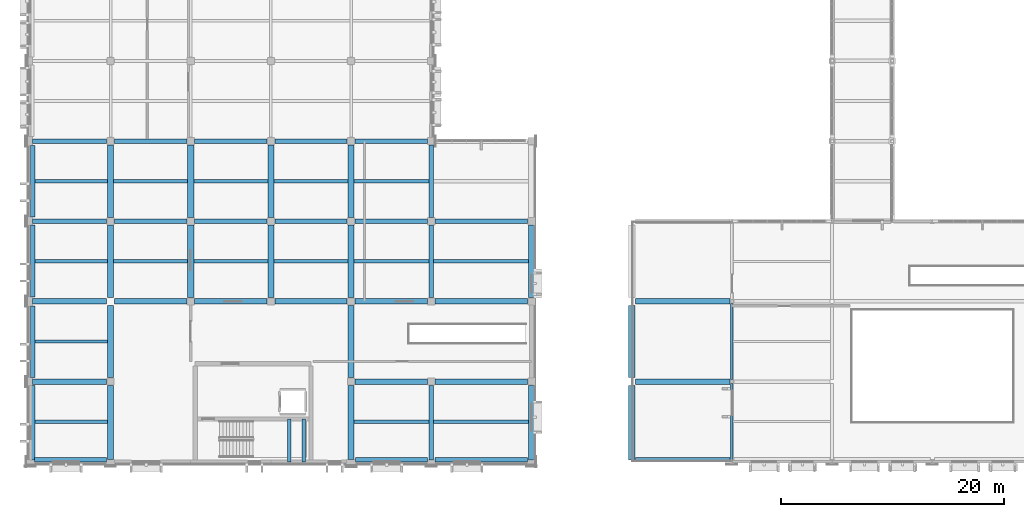
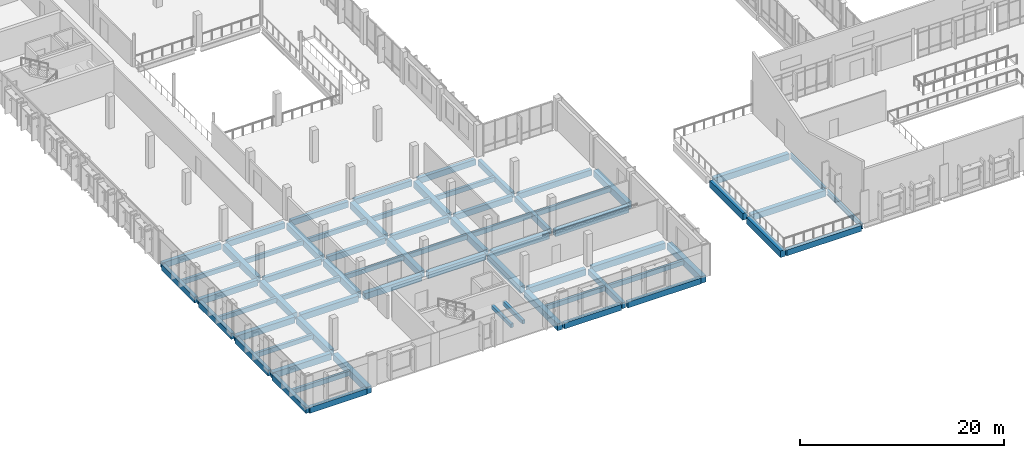
# One storey, part 14 of 85: 68 beams.
"""IFC4 building model written with IfcOpenShell, lengths in metres."""

from ifc_helpers import new_model, si_unit, direction, frame, origin, origin_2d, place, context, subcontext, project, spatial, rectangle, i_section, extrude, material, material_profile, profile_set, type_object, element, save


model = new_model("IFC4")

# Units and contexts
model_context = context("Model", 3, precision=1e-05, world=origin(), true_north=direction((0.0, 1.0)))
body_context = subcontext(model_context, "Body", "Model", "MODEL_VIEW")
ifc_project = project(units=[si_unit("LENGTHUNIT", "METRE"), si_unit("AREAUNIT", "SQUARE_METRE"), si_unit("VOLUMEUNIT", "CUBIC_METRE"), si_unit("PLANEANGLEUNIT", "RADIAN"), si_unit("MASSUNIT", "GRAM", prefix="KILO")], contexts=[model_context])

# Site, building, storey
site_placement = place(None, origin())
site = spatial("IfcSite", under=ifc_project, at=site_placement, CompositionType="ELEMENT")
building_placement = place(site_placement, origin())
building = spatial("IfcBuilding", under=site, at=building_placement, Name="Vervanel Yard Central Library", CompositionType="ELEMENT")
storey_placement = place(building_placement, frame((0.0, 0.0, 5.10009765625)))
storey = spatial("IfcBuildingStorey", under=building, at=storey_placement, Name="L01", CompositionType="ELEMENT", Elevation=5.10009765625)

# Beams
ifc_material_1 = material(Name="Concrete C40/50", Category="concrete")
ifc_material_profile_1 = material_profile(ifc_material_1, rectangle(XDim=0.300048828125, YDim=0.449951171875, at=origin_2d()), Name="RC 300x450", Category="concrete")
ifc_profile_set_1 = profile_set([ifc_material_profile_1], Name="Concrete C40/50")
beam_type_1 = type_object("IfcBeamType", Name="Concrete Opening Lintel 300x450", PredefinedType="LINTEL", material=ifc_profile_set_1)
for number, where, z_axis, x_axis, name in (
    (1, (23.25, 0.0, 1.494873046875), (0.0, 1.0, 0.0), (-1.0, 0.0, 0.0), "L01 CORE-D Stair Landing Beam 31"),
    (2, (24.550048828125, 0.0, 1.494873046875), (0.0, 1.0, 0.0), (-1.0, 0.0, 0.0), "L01 CORE-D Stair Landing Beam 32"),
):
    element("IfcBeam", number, at=place(storey_placement, frame(where, z_axis=z_axis, x_axis=x_axis)), inside=storey, type_object=beam_type_1, Name=name, PredefinedType="LINTEL", context=body_context, shape_type="SweptSolid", body=[
        extrude(rectangle(XDim=0.300048828125, YDim=0.449951171875, at=origin_2d()), origin(), (0.0, 0.0, 1.0), 3.8349609375),
    ])
ifc_material_profile_2 = material_profile(ifc_material_1, rectangle(XDim=0.39990234375, YDim=0.699951171875, at=origin_2d()), Name="RC 400x700", Category="concrete")
ifc_profile_set_2 = profile_set([ifc_material_profile_2], Name="Concrete C40/50")
beam_type_2 = type_object("IfcBeamType", Name="Concrete Perimeter Spandrel 400x700", PredefinedType="SPANDREL", material=ifc_profile_set_2)
beam_1_placement = place(storey_placement, frame((0.35009765625, 0.199951171875, -0.635009765625), z_axis=(1.0, 0.0, 0.0), x_axis=(0.0, 1.0, 0.0)))
element("IfcBeam", 3, at=beam_1_placement, inside=storey, type_object=beam_type_2, Name="L01 Girder SP-01 Y=0.0 X=0.0-7.2", PredefinedType="SPANDREL", context=body_context, shape_type="SweptSolid", body=[
    extrude(rectangle(XDim=0.39990234375, YDim=0.699951171875, at=origin_2d()), origin(), (0.0, 0.0, 1.0), 6.489990234375),
])
beam_2_placement = place(storey_placement, frame((29.18994140625, 0.199951171875, -0.635009765625), z_axis=(1.0, 0.0, 0.0), x_axis=(0.0, 1.0, 0.0)))
element("IfcBeam", 4, at=beam_2_placement, inside=storey, type_object=beam_type_2, Name="L01 Girder SP-01 Y=0.0 X=28.8-36.0", PredefinedType="SPANDREL", context=body_context, shape_type="SweptSolid", body=[
    extrude(rectangle(XDim=0.39990234375, YDim=0.699951171875, at=origin_2d()), origin(), (0.0, 0.0, 1.0), 6.4599609375),
])
beam_3_placement = place(storey_placement, frame((36.35009765625, 0.199951171875, -0.635009765625), z_axis=(1.0, 0.0, 0.0), x_axis=(0.0, 1.0, 0.0)))
element("IfcBeam", 5, at=beam_3_placement, inside=storey, type_object=beam_type_2, Name="L01 Girder SP-01 Y=0.0 X=36.0-45.0", PredefinedType="SPANDREL", context=body_context, shape_type="SweptSolid", body=[
    extrude(rectangle(XDim=0.39990234375, YDim=0.699951171875, at=origin_2d()), origin(), (0.0, 0.0, 1.0), 8.2998046875),
])
beam_4_placement = place(storey_placement, frame((54.35009765625, 0.199951171875, -0.695068359375), z_axis=(1.0, 0.0, 0.0), x_axis=(0.0, 1.0, 0.0)))
element("IfcBeam", 6, at=beam_4_placement, inside=storey, type_object=beam_type_2, Name="L01 Girder SP-01 Y=0.0 X=54.0-63.0", PredefinedType="SPANDREL", context=body_context, shape_type="SweptSolid", body=[
    extrude(rectangle(XDim=0.39990234375, YDim=0.699951171875, at=origin_2d()), origin(), (0.0, 0.0, 1.0), 8.4658203125),
])
beam_5_placement = place(storey_placement, frame((0.18994140625, 21.60009765625, -0.635009765625), z_axis=(1.0, 0.0, 0.0), x_axis=(0.0, 1.0, 0.0)))
element("IfcBeam", 7, at=beam_5_placement, inside=storey, type_object=beam_type_2, Name="L01 Girder SP-01 Y=21.6 X=0.0-7.2", PredefinedType="SPANDREL", context=body_context, shape_type="SweptSolid", body=[
    extrude(rectangle(XDim=0.39990234375, YDim=0.699951171875, at=origin_2d()), origin(), (0.0, 0.0, 1.0), 6.66015625),
])
for number, where, z_axis, x_axis, name in (
    (8, (7.550048828125, 21.60009765625, -0.635009765625), (1.0, 0.0, 0.0), (0.0, 1.0, 0.0), "L01 Girder SP-01 Y=21.6 X=7.2-14.4"),
    (9, (14.75, 21.60009765625, -0.635009765625), (1.0, 0.0, 0.0), (0.0, 1.0, 0.0), "L01 Girder SP-01 Y=21.6 X=14.4-21.6"),
    (10, (21.949951171875, 21.60009765625, -0.635009765625), (1.0, 0.0, 0.0), (0.0, 1.0, 0.0), "L01 Girder SP-01 Y=21.6 X=21.6-28.8"),
    (11, (29.14990234375, 21.60009765625, -0.635009765625), (1.0, 0.0, 0.0), (0.0, 1.0, 0.0), "L01 Girder SP-01 Y=21.6 X=28.8-36.0"),
):
    element("IfcBeam", number, at=place(storey_placement, frame(where, z_axis=z_axis, x_axis=x_axis)), inside=storey, type_object=beam_type_2, Name=name, PredefinedType="SPANDREL", context=body_context, shape_type="SweptSolid", body=[
        extrude(rectangle(XDim=0.39990234375, YDim=0.699951171875, at=origin_2d()), origin(), (0.0, 0.0, 1.0), 6.5),
    ])
beam_6_placement = place(storey_placement, frame((36.35009765625, 21.60009765625, -0.635009765625), z_axis=(1.0, 0.0, 0.0), x_axis=(0.0, 1.0, 0.0)))
element("IfcBeam", 12, at=beam_6_placement, inside=storey, type_object=beam_type_2, Name="L01 Girder SP-01 Y=21.6 X=36.0-45.0", PredefinedType="SPANDREL", context=body_context, shape_type="SweptSolid", body=[
    extrude(rectangle(XDim=0.39990234375, YDim=0.699951171875, at=origin_2d()), origin(), (0.0, 0.0, 1.0), 8.2998046875),
])
beam_7_placement = place(storey_placement, frame((0.2099609375, 28.800048828125, -0.635009765625), z_axis=(1.0, 0.0, 0.0), x_axis=(0.0, 1.0, 0.0)))
element("IfcBeam", 13, at=beam_7_placement, inside=storey, type_object=beam_type_2, Name="L01 Girder SP-01 Y=28.8 X=0.0-7.2", PredefinedType="SPANDREL", context=body_context, shape_type="SweptSolid", body=[
    extrude(rectangle(XDim=0.39990234375, YDim=0.699951171875, at=origin_2d()), origin(), (0.0, 0.0, 1.0), 6.64013671875),
])
for number, where, z_axis, x_axis, name in (
    (14, (7.550048828125, 28.800048828125, -0.635009765625), (1.0, 0.0, 0.0), (0.0, 1.0, 0.0), "L01 Girder SP-01 Y=28.8 X=7.2-14.4"),
    (15, (14.75, 28.800048828125, -0.635009765625), (1.0, 0.0, 0.0), (0.0, 1.0, 0.0), "L01 Girder SP-01 Y=28.8 X=14.4-21.6"),
    (16, (21.949951171875, 28.800048828125, -0.635009765625), (1.0, 0.0, 0.0), (0.0, 1.0, 0.0), "L01 Girder SP-01 Y=28.8 X=21.6-28.8"),
    (17, (29.14990234375, 28.800048828125, -0.635009765625), (1.0, 0.0, 0.0), (0.0, 1.0, 0.0), "L01 Girder SP-01 Y=28.8 X=28.8-36.0"),
):
    element("IfcBeam", number, at=place(storey_placement, frame(where, z_axis=z_axis, x_axis=x_axis)), inside=storey, type_object=beam_type_2, Name=name, PredefinedType="SPANDREL", context=body_context, shape_type="SweptSolid", body=[
        extrude(rectangle(XDim=0.39990234375, YDim=0.699951171875, at=origin_2d()), origin(), (0.0, 0.0, 1.0), 6.5),
    ])
beam_8_placement = place(storey_placement, frame((0.199951171875, 0.175048828125, -0.635009765625), z_axis=(0.0, 1.0, 0.0), x_axis=(-1.0, 0.0, 0.0)))
element("IfcBeam", 18, at=beam_8_placement, inside=storey, type_object=beam_type_2, Name="L01 Girder SP-01 X=0.0 Y=0.0-7.2", PredefinedType="SPANDREL", context=body_context, shape_type="SweptSolid", body=[
    extrude(rectangle(XDim=0.39990234375, YDim=0.699951171875, at=origin_2d()), origin(), (0.0, 0.0, 1.0), 6.6650390625),
])
for number, where, z_axis, x_axis, name in (
    (19, (0.199951171875, 7.56005859375, -0.635009765625), (0.0, 1.0, 0.0), (-1.0, 0.0, 0.0), "L01 Girder SP-01 X=0.0 Y=7.2-14.4"),
    (20, (0.199951171875, 14.7900390625, -0.635009765625), (0.0, 1.0, 0.0), (-1.0, 0.0, 0.0), "L01 Girder SP-01 X=0.0 Y=14.4-21.6"),
    (21, (0.199951171875, 21.9599609375, -0.635009765625), (0.0, 1.0, 0.0), (-1.0, 0.0, 0.0), "L01 Girder SP-01 X=0.0 Y=21.6-28.8"),
):
    element("IfcBeam", number, at=place(storey_placement, frame(where, z_axis=z_axis, x_axis=x_axis)), inside=storey, type_object=beam_type_2, Name=name, PredefinedType="SPANDREL", context=body_context, shape_type="SweptSolid", body=[
        extrude(rectangle(XDim=0.39990234375, YDim=0.699951171875, at=origin_2d()), origin(), (0.0, 0.0, 1.0), 6.449951171875),
    ])
beam_9_placement = place(storey_placement, frame((36.0, 0.175048828125, -0.635009765625), z_axis=(0.0, 1.0, 0.0), x_axis=(-1.0, 0.0, 0.0)))
element("IfcBeam", 22, at=beam_9_placement, inside=storey, type_object=beam_type_2, Name="L01 Girder SP-01 X=36.0 Y=0.0-7.2", PredefinedType="SPANDREL", context=body_context, shape_type="SweptSolid", body=[
    extrude(rectangle(XDim=0.39990234375, YDim=0.699951171875, at=origin_2d()), origin(), (0.0, 0.0, 1.0), 6.675048828125),
])
for number, where, z_axis, x_axis, name in (
    (23, (36.0, 14.75, -0.635009765625), (0.0, 1.0, 0.0), (-1.0, 0.0, 0.0), "L01 Girder SP-01 X=36.0 Y=14.4-21.6"),
    (24, (36.0, 21.949951171875, -0.635009765625), (0.0, 1.0, 0.0), (-1.0, 0.0, 0.0), "L01 Girder SP-01 X=36.0 Y=21.6-28.8"),
):
    element("IfcBeam", number, at=place(storey_placement, frame(where, z_axis=z_axis, x_axis=x_axis)), inside=storey, type_object=beam_type_2, Name=name, PredefinedType="SPANDREL", context=body_context, shape_type="SweptSolid", body=[
        extrude(rectangle(XDim=0.39990234375, YDim=0.699951171875, at=origin_2d()), origin(), (0.0, 0.0, 1.0), 6.5),
    ])
ifc_material_profile_3 = material_profile(ifc_material_1, rectangle(XDim=0.5, YDim=0.75, at=origin_2d()), Name="RC 500x750", Category="concrete")
ifc_profile_set_3 = profile_set([ifc_material_profile_3], Name="Concrete C40/50")
beam_type_3 = type_object("IfcBeamType", Name="Concrete Primary Girder 500x750", PredefinedType="BEAM", material=ifc_profile_set_3)
beam_10_placement = place(storey_placement, frame((0.18994140625, 7.199951171875, -0.66015625), z_axis=(1.0, 0.0, 0.0), x_axis=(0.0, 1.0, 0.0)))
element("IfcBeam", 25, at=beam_10_placement, inside=storey, type_object=beam_type_3, Name="L01 Girder CB-01 Y=7.2 X=0.0-7.2", PredefinedType="BEAM", context=body_context, shape_type="SweptSolid", body=[
    extrude(rectangle(XDim=0.5, YDim=0.75, at=origin_2d()), origin(), (0.0, 0.0, 1.0), 6.66015625),
])
beam_11_placement = place(storey_placement, frame((29.14990234375, 7.199951171875, -0.66015625), z_axis=(1.0, 0.0, 0.0), x_axis=(0.0, 1.0, 0.0)))
element("IfcBeam", 26, at=beam_11_placement, inside=storey, type_object=beam_type_3, Name="L01 Girder CB-01 Y=7.2 X=28.8-36.0", PredefinedType="BEAM", context=body_context, shape_type="SweptSolid", body=[
    extrude(rectangle(XDim=0.5, YDim=0.75, at=origin_2d()), origin(), (0.0, 0.0, 1.0), 6.5),
])
beam_12_placement = place(storey_placement, frame((36.35009765625, 7.199951171875, -0.66015625), z_axis=(1.0, 0.0, 0.0), x_axis=(0.0, 1.0, 0.0)))
element("IfcBeam", 27, at=beam_12_placement, inside=storey, type_object=beam_type_3, Name="L01 Girder CB-01 Y=7.2 X=36.0-45.0", PredefinedType="BEAM", context=body_context, shape_type="SweptSolid", body=[
    extrude(rectangle(XDim=0.5, YDim=0.75, at=origin_2d()), origin(), (0.0, 0.0, 1.0), 8.2998046875),
])
beam_13_placement = place(storey_placement, frame((54.35009765625, 7.199951171875, -0.72021484375), z_axis=(1.0, 0.0, 0.0), x_axis=(0.0, 1.0, 0.0)))
element("IfcBeam", 28, at=beam_13_placement, inside=storey, type_object=beam_type_3, Name="L01 Girder CB-01 Y=7.2 X=54.0-63.0", PredefinedType="BEAM", context=body_context, shape_type="SweptSolid", body=[
    extrude(rectangle(XDim=0.5, YDim=0.75, at=origin_2d()), origin(), (0.0, 0.0, 1.0), 8.4658203125),
])
beam_14_placement = place(storey_placement, frame((0.2099609375, 14.39990234375, -0.66015625), z_axis=(1.0, 0.0, 0.0), x_axis=(0.0, 1.0, 0.0)))
element("IfcBeam", 29, at=beam_14_placement, inside=storey, type_object=beam_type_3, Name="L01 Girder CB-01 Y=14.4 X=0.0-7.2", PredefinedType="BEAM", context=body_context, shape_type="SweptSolid", body=[
    extrude(rectangle(XDim=0.5, YDim=0.75, at=origin_2d()), origin(), (0.0, 0.0, 1.0), 6.64013671875),
])
for number, where, z_axis, x_axis, name in (
    (30, (7.550048828125, 14.39990234375, -0.66015625), (1.0, 0.0, 0.0), (0.0, 1.0, 0.0), "L01 Girder CB-01 Y=14.4 X=7.2-14.4"),
    (31, (14.75, 14.39990234375, -0.66015625), (1.0, 0.0, 0.0), (0.0, 1.0, 0.0), "L01 Girder CB-01 Y=14.4 X=14.4-21.6"),
    (32, (21.949951171875, 14.39990234375, -0.66015625), (1.0, 0.0, 0.0), (0.0, 1.0, 0.0), "L01 Girder CB-01 Y=14.4 X=21.6-28.8"),
    (33, (29.14990234375, 14.39990234375, -0.66015625), (1.0, 0.0, 0.0), (0.0, 1.0, 0.0), "L01 Girder CB-01 Y=14.4 X=28.8-36.0"),
):
    element("IfcBeam", number, at=place(storey_placement, frame(where, z_axis=z_axis, x_axis=x_axis)), inside=storey, type_object=beam_type_3, Name=name, PredefinedType="BEAM", context=body_context, shape_type="SweptSolid", body=[
        extrude(rectangle(XDim=0.5, YDim=0.75, at=origin_2d()), origin(), (0.0, 0.0, 1.0), 6.5),
    ])
beam_15_placement = place(storey_placement, frame((36.35009765625, 14.39990234375, -0.66015625), z_axis=(1.0, 0.0, 0.0), x_axis=(0.0, 1.0, 0.0)))
element("IfcBeam", 34, at=beam_15_placement, inside=storey, type_object=beam_type_3, Name="L01 Girder CB-01 Y=14.4 X=36.0-45.0", PredefinedType="BEAM", context=body_context, shape_type="SweptSolid", body=[
    extrude(rectangle(XDim=0.5, YDim=0.75, at=origin_2d()), origin(), (0.0, 0.0, 1.0), 8.2998046875),
])
beam_16_placement = place(storey_placement, frame((54.35009765625, 14.39990234375, -0.72021484375), z_axis=(1.0, 0.0, 0.0), x_axis=(0.0, 1.0, 0.0)))
element("IfcBeam", 35, at=beam_16_placement, inside=storey, type_object=beam_type_3, Name="L01 Girder CB-01 Y=14.4 X=54.0-63.0", PredefinedType="BEAM", context=body_context, shape_type="SweptSolid", body=[
    extrude(rectangle(XDim=0.5, YDim=0.75, at=origin_2d()), origin(), (0.0, 0.0, 1.0), 8.4658203125),
])
ifc_material_profile_4 = material_profile(ifc_material_1, rectangle(XDim=0.550048828125, YDim=0.800048828125, at=origin_2d()), Name="RC 550x800", Category="concrete")
ifc_profile_set_4 = profile_set([ifc_material_profile_4], Name="Concrete C40/50")
beam_type_4 = type_object("IfcBeamType", Name="Concrete Primary Girder 550x800", PredefinedType="BEAM", material=ifc_profile_set_4)
beam_17_placement = place(storey_placement, frame((7.199951171875, 0.18994140625, -0.68505859375), z_axis=(0.0, 1.0, 0.0), x_axis=(-1.0, 0.0, 0.0)))
element("IfcBeam", 36, at=beam_17_placement, inside=storey, type_object=beam_type_4, Name="L01 Girder CB-02 X=7.2 Y=0.0-7.2", PredefinedType="BEAM", context=body_context, shape_type="SweptSolid", body=[
    extrude(rectangle(XDim=0.550048828125, YDim=0.800048828125, at=origin_2d()), origin(), (0.0, 0.0, 1.0), 6.66015625),
])
for number, where, z_axis, x_axis, name in (
    (37, (7.199951171875, 7.550048828125, -0.68505859375), (0.0, 1.0, 0.0), (-1.0, 0.0, 0.0), "L01 Girder CB-02 X=7.2 Y=7.2-14.4"),
    (38, (7.199951171875, 14.75, -0.68505859375), (0.0, 1.0, 0.0), (-1.0, 0.0, 0.0), "L01 Girder CB-02 X=7.2 Y=14.4-21.6"),
    (39, (7.199951171875, 21.949951171875, -0.68505859375), (0.0, 1.0, 0.0), (-1.0, 0.0, 0.0), "L01 Girder CB-02 X=7.2 Y=21.6-28.8"),
    (40, (14.39990234375, 14.75, -0.68505859375), (0.0, 1.0, 0.0), (-1.0, 0.0, 0.0), "L01 Girder CB-02 X=14.4 Y=14.4-21.6"),
    (41, (14.39990234375, 21.949951171875, -0.68505859375), (0.0, 1.0, 0.0), (-1.0, 0.0, 0.0), "L01 Girder CB-02 X=14.4 Y=21.6-28.8"),
    (42, (21.60009765625, 14.75, -0.68505859375), (0.0, 1.0, 0.0), (-1.0, 0.0, 0.0), "L01 Girder CB-02 X=21.6 Y=14.4-21.6"),
    (43, (21.60009765625, 21.949951171875, -0.68505859375), (0.0, 1.0, 0.0), (-1.0, 0.0, 0.0), "L01 Girder CB-02 X=21.6 Y=21.6-28.8"),
):
    element("IfcBeam", number, at=place(storey_placement, frame(where, z_axis=z_axis, x_axis=x_axis)), inside=storey, type_object=beam_type_4, Name=name, PredefinedType="BEAM", context=body_context, shape_type="SweptSolid", body=[
        extrude(rectangle(XDim=0.550048828125, YDim=0.800048828125, at=origin_2d()), origin(), (0.0, 0.0, 1.0), 6.5),
    ])
beam_18_placement = place(storey_placement, frame((28.800048828125, 0.2099609375, -0.68505859375), z_axis=(0.0, 1.0, 0.0), x_axis=(-1.0, 0.0, 0.0)))
element("IfcBeam", 44, at=beam_18_placement, inside=storey, type_object=beam_type_4, Name="L01 Girder CB-02 X=28.8 Y=0.0-7.2", PredefinedType="BEAM", context=body_context, shape_type="SweptSolid", body=[
    extrude(rectangle(XDim=0.550048828125, YDim=0.800048828125, at=origin_2d()), origin(), (0.0, 0.0, 1.0), 6.64013671875),
])
for number, where, z_axis, x_axis, name in (
    (45, (28.800048828125, 7.550048828125, -0.68505859375), (0.0, 1.0, 0.0), (-1.0, 0.0, 0.0), "L01 Girder CB-02 X=28.8 Y=7.2-14.4"),
    (46, (28.800048828125, 14.75, -0.68505859375), (0.0, 1.0, 0.0), (-1.0, 0.0, 0.0), "L01 Girder CB-02 X=28.8 Y=14.4-21.6"),
    (47, (28.800048828125, 21.949951171875, -0.68505859375), (0.0, 1.0, 0.0), (-1.0, 0.0, 0.0), "L01 Girder CB-02 X=28.8 Y=21.6-28.8"),
):
    element("IfcBeam", number, at=place(storey_placement, frame(where, z_axis=z_axis, x_axis=x_axis)), inside=storey, type_object=beam_type_4, Name=name, PredefinedType="BEAM", context=body_context, shape_type="SweptSolid", body=[
        extrude(rectangle(XDim=0.550048828125, YDim=0.800048828125, at=origin_2d()), origin(), (0.0, 0.0, 1.0), 6.5),
    ])
beam_19_placement = place(storey_placement, frame((45.0, 0.175048828125, -0.68505859375), z_axis=(0.0, 1.0, 0.0), x_axis=(-1.0, 0.0, 0.0)))
element("IfcBeam", 48, at=beam_19_placement, inside=storey, type_object=beam_type_4, Name="L01 Girder CB-02 X=45.0 Y=0.0-7.2", PredefinedType="BEAM", context=body_context, shape_type="SweptSolid", body=[
    extrude(rectangle(XDim=0.550048828125, YDim=0.800048828125, at=origin_2d()), origin(), (0.0, 0.0, 1.0), 6.675048828125),
])
beam_20_placement = place(storey_placement, frame((45.0, 14.75, -0.68505859375), z_axis=(0.0, 1.0, 0.0), x_axis=(-1.0, 0.0, 0.0)))
element("IfcBeam", 49, at=beam_20_placement, inside=storey, type_object=beam_type_4, Name="L01 Girder CB-02 X=45.0 Y=14.4-21.6", PredefinedType="BEAM", context=body_context, shape_type="SweptSolid", body=[
    extrude(rectangle(XDim=0.550048828125, YDim=0.800048828125, at=origin_2d()), origin(), (0.0, 0.0, 1.0), 6.5),
])
beam_21_placement = place(storey_placement, frame((54.0, 0.175048828125, -0.7451171875), z_axis=(0.0, 1.0, 0.0), x_axis=(-1.0, 0.0, 0.0)))
element("IfcBeam", 50, at=beam_21_placement, inside=storey, type_object=beam_type_4, Name="L01 Girder CB-02 X=54.0 Y=0.0-7.2", PredefinedType="BEAM", context=body_context, shape_type="SweptSolid", body=[
    extrude(rectangle(XDim=0.550048828125, YDim=0.800048828125, at=origin_2d()), origin(), (0.0, 0.0, 1.0), 6.675048828125),
])
beam_22_placement = place(storey_placement, frame((54.0, 7.550048828125, -0.7451171875), z_axis=(0.0, 1.0, 0.0), x_axis=(-1.0, 0.0, 0.0)))
element("IfcBeam", 51, at=beam_22_placement, inside=storey, type_object=beam_type_4, Name="L01 Girder CB-02 X=54.0 Y=7.2-14.4", PredefinedType="BEAM", context=body_context, shape_type="SweptSolid", body=[
    extrude(rectangle(XDim=0.550048828125, YDim=0.800048828125, at=origin_2d()), origin(), (0.0, 0.0, 1.0), 6.5),
])
ifc_material_profile_5 = material_profile(ifc_material_1, rectangle(XDim=0.300048828125, YDim=0.550048828125, at=origin_2d()), Name="RC 300x550", Category="concrete")
ifc_profile_set_5 = profile_set([ifc_material_profile_5], Name="Concrete C40/50")
beam_type_5 = type_object("IfcBeamType", Name="Concrete Secondary Joist 300x550", PredefinedType="JOIST", material=ifc_profile_set_5)
for number, where, z_axis, x_axis, name in (
    (52, (0.39990234375, 3.60009765625, -0.56005859375), (1.0, 0.0, 0.0), (0.0, 1.0, 0.0), "L01 Floor Joist CJ-02 Y=3.60 X=0.0-7.2"),
    (53, (0.39990234375, 10.800048828125, -0.56005859375), (1.0, 0.0, 0.0), (0.0, 1.0, 0.0), "L01 Floor Joist CJ-02 Y=10.80 X=0.0-7.2"),
    (54, (0.39990234375, 18.0, -0.56005859375), (1.0, 0.0, 0.0), (0.0, 1.0, 0.0), "L01 Floor Joist CJ-02 Y=18.00 X=0.0-7.2"),
    (55, (0.39990234375, 25.199951171875, -0.56005859375), (1.0, 0.0, 0.0), (0.0, 1.0, 0.0), "L01 Floor Joist CJ-02 Y=25.20 X=0.0-7.2"),
):
    element("IfcBeam", number, at=place(storey_placement, frame(where, z_axis=z_axis, x_axis=x_axis)), inside=storey, type_object=beam_type_5, Name=name, PredefinedType="JOIST", context=body_context, shape_type="SweptSolid", body=[
        extrude(rectangle(XDim=0.300048828125, YDim=0.550048828125, at=origin_2d()), origin(), (0.0, 0.0, 1.0), 6.525146484375),
    ])
for number, where, z_axis, x_axis, name in (
    (56, (7.47509765625, 18.0, -0.56005859375), (1.0, 0.0, 0.0), (0.0, 1.0, 0.0), "L01 Floor Joist CJ-02 Y=18.00 X=7.2-14.4"),
    (57, (7.47509765625, 25.199951171875, -0.56005859375), (1.0, 0.0, 0.0), (0.0, 1.0, 0.0), "L01 Floor Joist CJ-02 Y=25.20 X=7.2-14.4"),
    (58, (14.675048828125, 18.0, -0.56005859375), (1.0, 0.0, 0.0), (0.0, 1.0, 0.0), "L01 Floor Joist CJ-02 Y=18.00 X=14.4-21.6"),
    (59, (14.675048828125, 25.199951171875, -0.56005859375), (1.0, 0.0, 0.0), (0.0, 1.0, 0.0), "L01 Floor Joist CJ-02 Y=25.20 X=14.4-21.6"),
    (60, (21.875, 18.0, -0.56005859375), (1.0, 0.0, 0.0), (0.0, 1.0, 0.0), "L01 Floor Joist CJ-02 Y=18.00 X=21.6-28.8"),
    (61, (21.875, 25.199951171875, -0.56005859375), (1.0, 0.0, 0.0), (0.0, 1.0, 0.0), "L01 Floor Joist CJ-02 Y=25.20 X=21.6-28.8"),
):
    element("IfcBeam", number, at=place(storey_placement, frame(where, z_axis=z_axis, x_axis=x_axis)), inside=storey, type_object=beam_type_5, Name=name, PredefinedType="JOIST", context=body_context, shape_type="SweptSolid", body=[
        extrude(rectangle(XDim=0.300048828125, YDim=0.550048828125, at=origin_2d()), origin(), (0.0, 0.0, 1.0), 6.64990234375),
    ])
for number, where, z_axis, x_axis, name in (
    (62, (29.074951171875, 3.60009765625, -0.56005859375), (1.0, 0.0, 0.0), (0.0, 1.0, 0.0), "L01 Floor Joist CJ-02 Y=3.60 X=28.8-36.0"),
    (63, (29.074951171875, 18.0, -0.56005859375), (1.0, 0.0, 0.0), (0.0, 1.0, 0.0), "L01 Floor Joist CJ-02 Y=18.00 X=28.8-36.0"),
    (64, (29.074951171875, 25.199951171875, -0.56005859375), (1.0, 0.0, 0.0), (0.0, 1.0, 0.0), "L01 Floor Joist CJ-02 Y=25.20 X=28.8-36.0"),
):
    element("IfcBeam", number, at=place(storey_placement, frame(where, z_axis=z_axis, x_axis=x_axis)), inside=storey, type_object=beam_type_5, Name=name, PredefinedType="JOIST", context=body_context, shape_type="SweptSolid", body=[
        extrude(rectangle(XDim=0.300048828125, YDim=0.550048828125, at=origin_2d()), origin(), (0.0, 0.0, 1.0), 6.72509765625),
    ])
for number, where, z_axis, x_axis, name in (
    (65, (36.199951171875, 3.60009765625, -0.56005859375), (1.0, 0.0, 0.0), (0.0, 1.0, 0.0), "L01 Floor Joist CJ-02 Y=3.60 X=36.0-45.0"),
    (66, (36.199951171875, 18.0, -0.56005859375), (1.0, 0.0, 0.0), (0.0, 1.0, 0.0), "L01 Floor Joist CJ-02 Y=18.00 X=36.0-45.0"),
):
    element("IfcBeam", number, at=place(storey_placement, frame(where, z_axis=z_axis, x_axis=x_axis)), inside=storey, type_object=beam_type_5, Name=name, PredefinedType="JOIST", context=body_context, shape_type="SweptSolid", body=[
        extrude(rectangle(XDim=0.300048828125, YDim=0.550048828125, at=origin_2d()), origin(), (0.0, 0.0, 1.0), 8.525146484375),
    ])
ifc_material_2 = material(Name="Steel ASTM A992 Grade 50", Category="steel")
ifc_material_profile_6 = material_profile(ifc_material_2, i_section(OverallWidth=0.22900390625, OverallDepth=0.612060546875, WebThickness=0.011962890625, FlangeThickness=0.01953125, at=origin_2d()), Name="W24X84", Category="steel")
ifc_profile_set_6 = profile_set([ifc_material_profile_6], Name="Steel ASTM A992 Grade 50")
beam_type_6 = type_object("IfcBeamType", Name="Steel Primary Girder W24X84", PredefinedType="BEAM", material=ifc_profile_set_6)
for number, where, z_axis, x_axis, name in (
    (67, (63.0, 0.177734375, -0.651123046875), (0.0, 1.0, 0.0), (-1.0, 0.0, 0.0), "L01 Girder SB-01 X=63.0 Y=0.0-7.2"),
    (68, (63.0, 7.377685546875, -0.651123046875), (0.0, 1.0, 0.0), (-1.0, 0.0, 0.0), "L01 Girder SB-01 X=63.0 Y=7.2-14.4"),
):
    element("IfcBeam", number, at=place(storey_placement, frame(where, z_axis=z_axis, x_axis=x_axis)), inside=storey, type_object=beam_type_6, Name=name, PredefinedType="BEAM", context=body_context, shape_type="SweptSolid", body=[
        extrude(i_section(OverallWidth=0.22900390625, OverallDepth=0.612060546875, WebThickness=0.011962890625, FlangeThickness=0.01953125, at=origin_2d()), origin(), (0.0, 0.0, 1.0), 6.844482421875),
    ])

save(model, "model.ifc")
